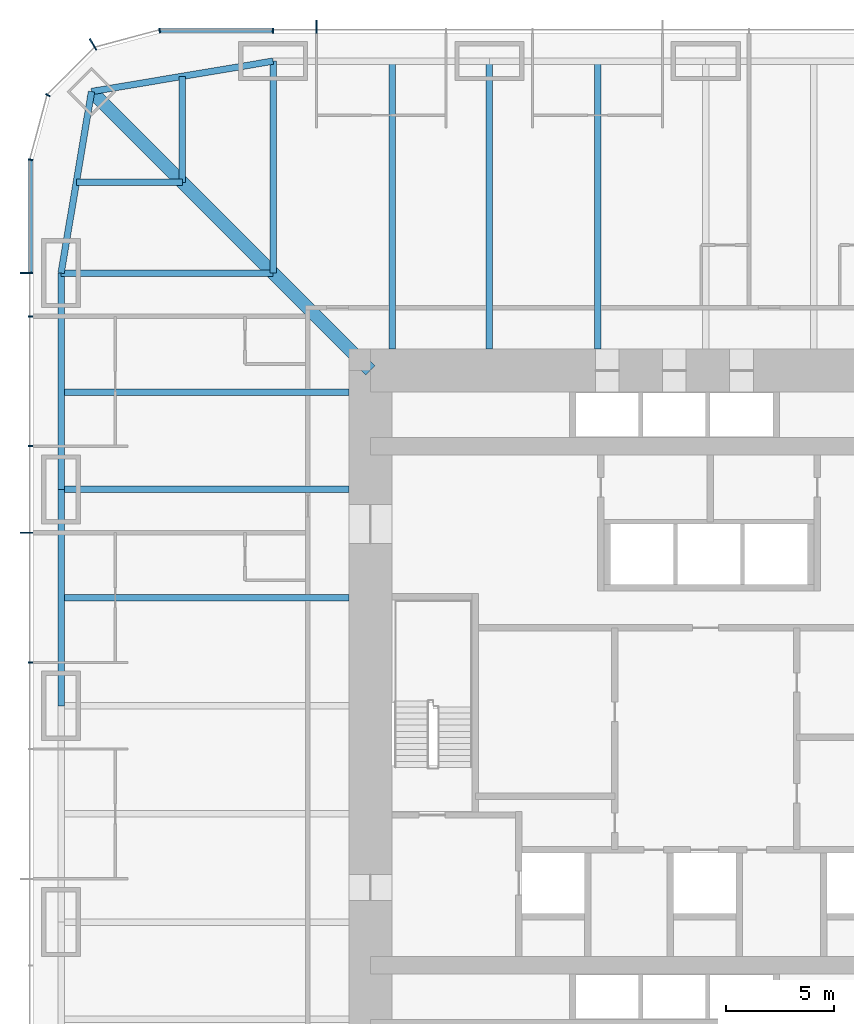
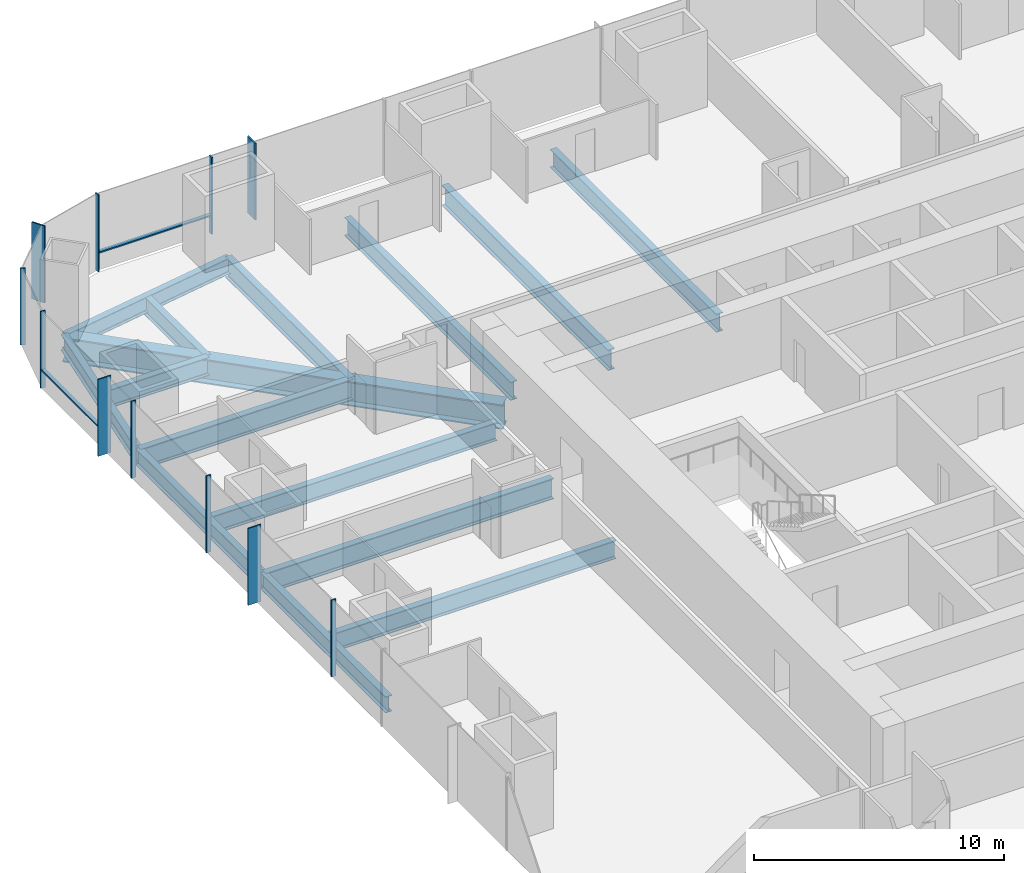
# One storey, part 6 of 17: 15 beams, 13 members, 3 elements without a shape of their own.
"""IFC4 building model written with IfcOpenShell, lengths in metres."""

from ifc_helpers import new_model, si_unit, direction, frame, origin, origin_2d, place, context, subcontext, project, spatial, rectangle, i_section, extrude, material, material_profile, profile_set, type_object, element, aggregate, save


model = new_model("IFC4")

# Units and contexts
model_context = context("Model", 3, precision=1e-05, world=origin(), true_north=direction((0.0, 1.0)))
body_context = subcontext(model_context, "Body", "Model", "MODEL_VIEW")
ifc_project = project(units=[si_unit("LENGTHUNIT", "METRE"), si_unit("AREAUNIT", "SQUARE_METRE"), si_unit("VOLUMEUNIT", "CUBIC_METRE"), si_unit("PLANEANGLEUNIT", "RADIAN"), si_unit("MASSUNIT", "GRAM", prefix="KILO")], contexts=[model_context])

# Site, building, storey
site_placement = place(None, origin())
site = spatial("IfcSite", under=ifc_project, at=site_placement, CompositionType="ELEMENT")
building_placement = place(site_placement, origin())
building = spatial("IfcBuilding", under=site, at=building_placement, Name="Khuree Lantern Residences", CompositionType="ELEMENT")
storey_placement = place(building_placement, frame((0.0, 0.0, 77.25)))
storey = spatial("IfcBuildingStorey", under=building, at=storey_placement, Name="L19", CompositionType="ELEMENT", Elevation=77.25)

# Beams
ifc_material_1 = material(Name="Steel S355", Category="steel")
ifc_material_profile_1 = material_profile(ifc_material_1, i_section(OverallWidth=0.300048828125, OverallDepth=0.889892578125, WebThickness=0.01611328125, FlangeThickness=0.030029296875, FilletRadius=0.030029296875, at=origin_2d()), Name="HE 900 A")
ifc_profile_set_1 = profile_set([ifc_material_profile_1], Name="Steel S355")
beam_type_1 = type_object("IfcBeamType", Name="B-14 SECONDARY BEAM HE 900 A", PredefinedType="BEAM", material=ifc_profile_set_1)
for number, where, z_axis, x_axis, name in (
    (1, (-14.5, 29.800048828125, -0.695068359375), (0.0, -1.0, 0.0), (1.0, 0.0, 0.0), "Secondary beam N1"),
    (2, (-5.0, 29.800048828125, -0.695068359375), (0.0, -1.0, 0.0), (1.0, 0.0, 0.0), "Secondary beam N2"),
    (3, (-29.800048828125, 5.0, -0.695068359375), (1.0, 0.0, 0.0), (0.0, 1.0, 0.0), "Secondary beam W4"),
    (4, (-29.800048828125, 14.5, -0.695068359375), (1.0, 0.0, 0.0), (0.0, 1.0, 0.0), "Secondary beam W5"),
):
    element("IfcBeam", number, at=place(storey_placement, frame(where, z_axis=z_axis, x_axis=x_axis)), inside=storey, type_object=beam_type_1, Name=name, PredefinedType="BEAM", context=body_context, shape_type="SweptSolid", body=[
        extrude(i_section(OverallWidth=0.300048828125, OverallDepth=0.889892578125, WebThickness=0.01611328125, FlangeThickness=0.030029296875, FilletRadius=0.030029296875, at=origin_2d()), origin(), (0.0, 0.0, 1.0), 13.300048828125),
    ])
for number, where, z_axis, x_axis, name in (
    (5, (-29.09716796875, 24.197021484375, -0.695068359375), (1.0, 0.0, 0.0), (0.0, 1.0, 0.0), "Secondary beam W6"),
    (6, (-24.197021484375, 29.09716796875, -0.695068359375), (0.0, -1.0, 0.0), (1.0, 0.0, 0.0), "Secondary beam N6"),
):
    element("IfcBeam", number, at=place(storey_placement, frame(where, z_axis=z_axis, x_axis=x_axis)), inside=storey, type_object=beam_type_1, Name=name, PredefinedType="BEAM", context=body_context, shape_type="SweptSolid", body=[
        extrude(i_section(OverallWidth=0.300048828125, OverallDepth=0.889892578125, WebThickness=0.01611328125, FlangeThickness=0.030029296875, FilletRadius=0.030029296875, at=origin_2d()), origin(), (0.0, 0.0, 1.0), 4.900146484375),
    ])
ifc_material_profile_2 = material_profile(ifc_material_1, i_section(OverallWidth=0.300048828125, OverallDepth=0.7900390625, WebThickness=0.014892578125, FlangeThickness=0.028076171875, FilletRadius=0.030029296875, at=origin_2d()), Name="HE 800 A")
ifc_profile_set_2 = profile_set([ifc_material_profile_2], Name="Steel S355")
beam_type_2 = type_object("IfcBeamType", Name="E-14 SPANDREL BEAM HE 800 A", PredefinedType="SPANDREL", material=ifc_profile_set_2)
for number, where, z_axis, x_axis, name in (
    (7, (-29.800048828125, 0.0, -0.64501953125), (0.0, 1.0, 0.0), (-1.0, 0.0, 0.0), "Spandrel beam W4"),
    (8, (-29.800048828125, 10.0, -0.64501953125), (0.0, 1.0, 0.0), (-1.0, 0.0, 0.0), "Spandrel beam W5"),
):
    element("IfcBeam", number, at=place(storey_placement, frame(where, z_axis=z_axis, x_axis=x_axis)), inside=storey, type_object=beam_type_2, Name=name, PredefinedType="SPANDREL", context=body_context, shape_type="SweptSolid", body=[
        extrude(i_section(OverallWidth=0.300048828125, OverallDepth=0.7900390625, WebThickness=0.014892578125, FlangeThickness=0.028076171875, FilletRadius=0.030029296875, at=origin_2d()), origin(), (0.0, 0.0, 1.0), 10.0),
    ])
for number, where, z_axis, x_axis, name in (
    (9, (-29.800048828125, 20.0, -0.64501953125), (0.165199022349, 0.986260251158, 0.0), (-0.986260251158, 0.165199022349, 0.0), "Spandrel beam W6"),
    (10, (-28.39404296875, 28.39404296875, -0.64501953125), (0.986260251158, 0.165199022349, 0.0), (-0.165199022349, 0.986260251158, 0.0), "Spandrel beam N6"),
):
    element("IfcBeam", number, at=place(storey_placement, frame(where, z_axis=z_axis, x_axis=x_axis)), inside=storey, type_object=beam_type_2, Name=name, PredefinedType="SPANDREL", context=body_context, shape_type="SweptSolid", body=[
        extrude(i_section(OverallWidth=0.300048828125, OverallDepth=0.7900390625, WebThickness=0.014892578125, FlangeThickness=0.028076171875, FilletRadius=0.030029296875, at=origin_2d()), origin(), (0.0, 0.0, 1.0), 8.510986328125),
    ])

# Curtain wall, member
ifc_material_2 = material(Name="Bronze anodised aluminium", Category="aluminium")
curtain_wall_type_1 = type_object("IfcCurtainWallType", Name="CW-T1 TOWER FACE CURTAIN WALL", PredefinedType="USERDEFINED", material=ifc_material_2)
curtain_wall_1_placement = place(storey_placement, origin())
curtain_wall_1 = element("IfcCurtainWall", 11, at=curtain_wall_1_placement, inside=storey, type_object=curtain_wall_type_1, Name="L19 NORTH FACE CURTAIN WALL", ObjectType="Stick-built curtain wall", PredefinedType="USERDEFINED")
ifc_material_profile_3 = material_profile(ifc_material_2, rectangle(XDim=0.06494140625, YDim=0.60009765625, at=origin_2d()), Name="F1 65X600")
ifc_profile_set_3 = profile_set([ifc_material_profile_3], Name="Bronze anodised aluminium")
member_type_1 = type_object("IfcMemberType", Name="F1 BRONZE FIN MULLION TOWER 65X600", PredefinedType="MULLION", material=ifc_profile_set_3)
member_1_placement = place(storey_placement, frame((-18.0, 31.39990234375, 0.0), z_axis=(0.0, 0.0, 1.0), x_axis=(-1.0, 0.0, 0.0)))
member_1 = element("IfcMember", 12, at=member_1_placement, type_object=member_type_1, Name="L19 NORTH FACE FIN MULLION 27", PredefinedType="MULLION", context=body_context, shape_type="SweptSolid", body=[
    extrude(rectangle(XDim=0.06494140625, YDim=0.60009765625, at=origin_2d()), origin(), (0.0, 0.0, 1.0), 3.75),
])

curtain_wall_type_2 = type_object("IfcCurtainWallType", Name="CW-T2 TOWER CORNER CURTAIN WALL", PredefinedType="USERDEFINED", material=ifc_material_2)
curtain_wall_2_placement = place(storey_placement, origin())
curtain_wall_2 = element("IfcCurtainWall", 13, at=curtain_wall_2_placement, inside=storey, type_object=curtain_wall_type_2, Name="L19 NORTH-WEST CORNER CURTAIN WALL", ObjectType="Faceted corner curtain wall", PredefinedType="USERDEFINED")
member_2_placement = place(storey_placement, frame((-28.324951171875, 30.576171875, 0.0), z_axis=(0.0, 0.0, 1.0), x_axis=(-0.86602537092, -0.500000056923, 0.0)))
member_2 = element("IfcMember", 14, at=member_2_placement, type_object=member_type_1, Name="L19 NORTH-WEST CORNER FIN MULLION 30", PredefinedType="MULLION", context=body_context, shape_type="SweptSolid", body=[
    extrude(rectangle(XDim=0.06494140625, YDim=0.60009765625, at=origin_2d()), origin(), (0.0, 0.0, 1.0), 3.75),
])

# Curtain wall, members
curtain_wall_3_placement = place(storey_placement, origin())
curtain_wall_3 = element("IfcCurtainWall", 15, at=curtain_wall_3_placement, inside=storey, type_object=curtain_wall_type_1, Name="L19 WEST FACE CURTAIN WALL", ObjectType="Stick-built curtain wall", PredefinedType="USERDEFINED")
member_3_placement = place(storey_placement, frame((-31.39990234375, 20.0, 0.0), z_axis=(0.0, 0.0, 1.0), x_axis=(0.0, -1.0, 0.0)))
member_3 = element("IfcMember", 16, at=member_3_placement, type_object=member_type_1, Name="L19 WEST FACE FIN MULLION 33", PredefinedType="MULLION", context=body_context, shape_type="SweptSolid", body=[
    extrude(rectangle(XDim=0.06494140625, YDim=0.60009765625, at=origin_2d()), origin(), (0.0, 0.0, 1.0), 3.75),
])
member_4_placement = place(storey_placement, frame((-31.39990234375, 8.0, 0.0), z_axis=(0.0, 0.0, 1.0), x_axis=(0.0, -1.0, 0.0)))
member_4 = element("IfcMember", 17, at=member_4_placement, type_object=member_type_1, Name="L19 WEST FACE FIN MULLION 36", PredefinedType="MULLION", context=body_context, shape_type="SweptSolid", body=[
    extrude(rectangle(XDim=0.06494140625, YDim=0.60009765625, at=origin_2d()), origin(), (0.0, 0.0, 1.0), 3.75),
])

# Beams
ifc_material_profile_4 = material_profile(ifc_material_1, i_section(OverallWidth=0.302001953125, OverallDepth=1.008056640625, WebThickness=0.02099609375, FlangeThickness=0.0400390625, FilletRadius=0.030029296875, at=origin_2d()), Name="HE 1000 M")
ifc_profile_set_4 = profile_set([ifc_material_profile_4], Name="Steel S355")
beam_type_3 = type_object("IfcBeamType", Name="G-14 GIRDER HE 1000 M", PredefinedType="BEAM", material=ifc_profile_set_4)
beam_1_placement = place(storey_placement, frame((-20.0, 29.800048828125, -0.75390625), z_axis=(0.0, -1.0, 0.0), x_axis=(1.0, 0.0, 0.0)))
element("IfcBeam", 18, at=beam_1_placement, inside=storey, type_object=beam_type_3, Name="Girder N1", PredefinedType="BEAM", context=body_context, shape_type="SweptSolid", body=[
    extrude(i_section(OverallWidth=0.302001953125, OverallDepth=1.008056640625, WebThickness=0.02099609375, FlangeThickness=0.0400390625, FilletRadius=0.030029296875, at=origin_2d()), origin(), (0.0, 0.0, 1.0), 9.800048828125),
])
for number, where, z_axis, x_axis, name in (
    (19, (-10.0, 29.800048828125, -0.75390625), (0.0, -1.0, 0.0), (1.0, 0.0, 0.0), "Girder N2"),
    (20, (-29.800048828125, 10.0, -0.75390625), (1.0, 0.0, 0.0), (0.0, 1.0, 0.0), "Girder W4"),
):
    element("IfcBeam", number, at=place(storey_placement, frame(where, z_axis=z_axis, x_axis=x_axis)), inside=storey, type_object=beam_type_3, Name=name, PredefinedType="BEAM", context=body_context, shape_type="SweptSolid", body=[
        extrude(i_section(OverallWidth=0.302001953125, OverallDepth=1.008056640625, WebThickness=0.02099609375, FlangeThickness=0.0400390625, FilletRadius=0.030029296875, at=origin_2d()), origin(), (0.0, 0.0, 1.0), 13.300048828125),
    ])
beam_2_placement = place(storey_placement, frame((-29.800048828125, 20.0, -0.75390625), z_axis=(1.0, 0.0, 0.0), x_axis=(0.0, 1.0, 0.0)))
element("IfcBeam", 21, at=beam_2_placement, inside=storey, type_object=beam_type_3, Name="Girder W5", PredefinedType="BEAM", context=body_context, shape_type="SweptSolid", body=[
    extrude(i_section(OverallWidth=0.302001953125, OverallDepth=1.008056640625, WebThickness=0.02099609375, FlangeThickness=0.0400390625, FilletRadius=0.030029296875, at=origin_2d()), origin(), (0.0, 0.0, 1.0), 9.800048828125),
])
ifc_material_profile_5 = material_profile(ifc_material_1, i_section(OverallWidth=0.60009765625, OverallDepth=1.199951171875, WebThickness=0.030029296875, FlangeThickness=0.06005859375, at=origin_2d()), Name="WELDED I 1200X600X30X60")
ifc_profile_set_5 = profile_set([ifc_material_profile_5], Name="Steel S355")
beam_type_4 = type_object("IfcBeamType", Name="GD-14 CORNER GIRDER WELDED I 1200X600X30X60", PredefinedType="BEAM", material=ifc_profile_set_5)
beam_3_placement = place(storey_placement, frame((-28.39404296875, 28.39404296875, -0.85009765625), z_axis=(0.707106781187, -0.707106781187, 0.0), x_axis=(0.707106781187, 0.707106781187, 0.0)))
element("IfcBeam", 22, at=beam_3_placement, inside=storey, type_object=beam_type_4, Name="Corner girder NW", PredefinedType="BEAM", context=body_context, shape_type="SweptSolid", body=[
    extrude(i_section(OverallWidth=0.60009765625, OverallDepth=1.199951171875, WebThickness=0.030029296875, FlangeThickness=0.06005859375, at=origin_2d()), origin(), (0.0, 0.0, 1.0), 18.23486328125),
])

# Member
ifc_material_profile_6 = material_profile(ifc_material_2, rectangle(XDim=0.06494140625, YDim=0.219970703125, at=origin_2d()), Name="M1 65X220")
ifc_profile_set_6 = profile_set([ifc_material_profile_6], Name="Bronze anodised aluminium")
member_type_2 = type_object("IfcMemberType", Name="M1 BRONZE MULLION TOWER 65X220", PredefinedType="MULLION", material=ifc_profile_set_6)
member_5_placement = place(storey_placement, frame((-20.0, 31.2099609375, 0.0), z_axis=(0.0, 0.0, 1.0), x_axis=(-1.0, 0.0, 0.0)))
member_5 = element("IfcMember", 23, at=member_5_placement, type_object=member_type_2, Name="L19 NORTH FACE MULLION 28", PredefinedType="MULLION", context=body_context, shape_type="SweptSolid", body=[
    extrude(rectangle(XDim=0.06494140625, YDim=0.219970703125, at=origin_2d()), origin(), (0.0, 0.0, 1.0), 3.75),
])

member_6_placement = place(storey_placement, frame((-25.244873046875, 31.211669921875, 0.0), z_axis=(0.0, 0.0, 1.0), x_axis=(-0.991444852794, -0.130526257387, 0.0)))
member_6 = element("IfcMember", 24, at=member_6_placement, type_object=member_type_2, Name="L19 NORTH-WEST CORNER MULLION 29", PredefinedType="MULLION", context=body_context, shape_type="SweptSolid", body=[
    extrude(rectangle(XDim=0.06494140625, YDim=0.219970703125, at=origin_2d()), origin(), (0.0, 0.0, 1.0), 3.75),
])

member_7_placement = place(storey_placement, frame((-30.41162109375, 28.22998046875, 0.0), z_axis=(0.0, 0.0, 1.0), x_axis=(-0.500000056923, -0.86602537092, 0.0)))
member_7 = element("IfcMember", 25, at=member_7_placement, type_object=member_type_2, Name="L19 NORTH-WEST CORNER MULLION 31", PredefinedType="MULLION", context=body_context, shape_type="SweptSolid", body=[
    extrude(rectangle(XDim=0.06494140625, YDim=0.219970703125, at=origin_2d()), origin(), (0.0, 0.0, 1.0), 3.75),
])

aggregate(curtain_wall_2, [member_6, member_2, member_7])

member_8_placement = place(storey_placement, frame((-31.211669921875, 25.244873046875, 0.0), z_axis=(0.0, 0.0, 1.0), x_axis=(-0.130526257387, -0.991444852794, 0.0)))
member_8 = element("IfcMember", 26, at=member_8_placement, type_object=member_type_2, Name="L19 WEST FACE MULLION 32", PredefinedType="MULLION", context=body_context, shape_type="SweptSolid", body=[
    extrude(rectangle(XDim=0.06494140625, YDim=0.219970703125, at=origin_2d()), origin(), (0.0, 0.0, 1.0), 3.75),
])

member_9_placement = place(storey_placement, frame((-31.2099609375, 18.0, 0.0), z_axis=(0.0, 0.0, 1.0), x_axis=(0.0, -1.0, 0.0)))
member_9 = element("IfcMember", 27, at=member_9_placement, type_object=member_type_2, Name="L19 WEST FACE MULLION 34", PredefinedType="MULLION", context=body_context, shape_type="SweptSolid", body=[
    extrude(rectangle(XDim=0.06494140625, YDim=0.219970703125, at=origin_2d()), origin(), (0.0, 0.0, 1.0), 3.75),
])

member_10_placement = place(storey_placement, frame((-31.2099609375, 12.0, 0.0), z_axis=(0.0, 0.0, 1.0), x_axis=(0.0, -1.0, 0.0)))
member_10 = element("IfcMember", 28, at=member_10_placement, type_object=member_type_2, Name="L19 WEST FACE MULLION 35", PredefinedType="MULLION", context=body_context, shape_type="SweptSolid", body=[
    extrude(rectangle(XDim=0.06494140625, YDim=0.219970703125, at=origin_2d()), origin(), (0.0, 0.0, 1.0), 3.75),
])

member_11_placement = place(storey_placement, frame((-31.2099609375, 2.0, 0.0), z_axis=(0.0, 0.0, 1.0), x_axis=(0.0, -1.0, 0.0)))
member_11 = element("IfcMember", 29, at=member_11_placement, type_object=member_type_2, Name="L19 WEST FACE MULLION 37", PredefinedType="MULLION", context=body_context, shape_type="SweptSolid", body=[
    extrude(rectangle(XDim=0.06494140625, YDim=0.219970703125, at=origin_2d()), origin(), (0.0, 0.0, 1.0), 3.75),
])

ifc_material_profile_7 = material_profile(ifc_material_2, rectangle(XDim=0.179931640625, YDim=0.06494140625, at=origin_2d()), Name="T1 180X65")
ifc_profile_set_7 = profile_set([ifc_material_profile_7], Name="Bronze anodised aluminium")
member_type_3 = type_object("IfcMemberType", Name="TRANSOM T1 TOWER 180X65", PredefinedType="USERDEFINED", material=ifc_profile_set_7)
member_12_placement = place(storey_placement, frame((-20.032470703125, 31.219970703125, 0.89990234375), z_axis=(-1.0, 0.0, 0.0), x_axis=(0.0, -1.0, 0.0)))
member_12 = element("IfcMember", 30, at=member_12_placement, type_object=member_type_3, Name="L19 NORTH FACE TRANSOM 28.1", ObjectType="Transom", PredefinedType="USERDEFINED", context=body_context, shape_type="SweptSolid", body=[
    extrude(rectangle(XDim=0.179931640625, YDim=0.06494140625, at=origin_2d()), origin(), (0.0, 0.0, 1.0), 5.1689453125),
])

aggregate(curtain_wall_1, [member_1, member_5, member_12])

member_13_placement = place(storey_placement, frame((-31.219970703125, 25.201416015625, 0.89990234375), z_axis=(0.0, -1.0, 0.0), x_axis=(1.0, 0.0, 0.0)))
member_13 = element("IfcMember", 31, at=member_13_placement, type_object=member_type_3, Name="L19 WEST FACE TRANSOM 32.1", ObjectType="Transom", PredefinedType="USERDEFINED", context=body_context, shape_type="SweptSolid", body=[
    extrude(rectangle(XDim=0.179931640625, YDim=0.06494140625, at=origin_2d()), origin(), (0.0, 0.0, 1.0), 5.1689453125),
])

aggregate(curtain_wall_3, [member_8, member_3, member_9, member_10, member_4, member_11, member_13])

save(model, "model.ifc")
